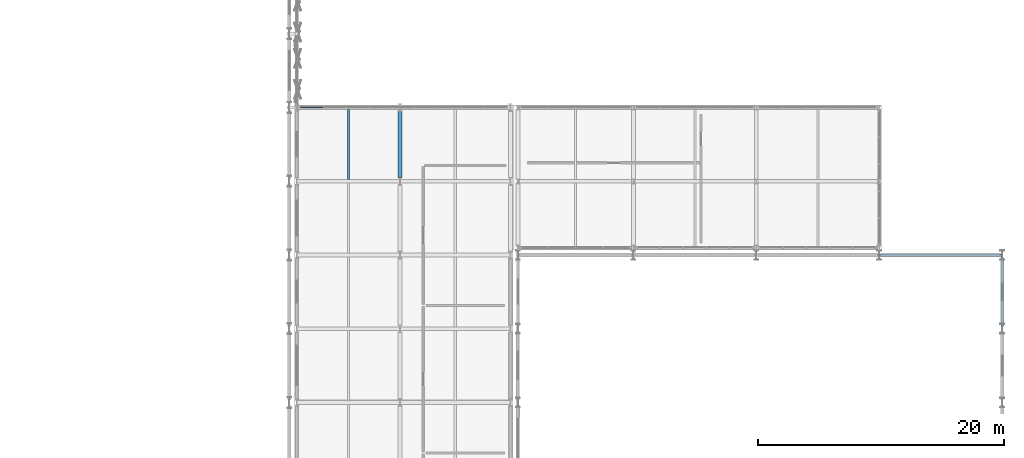
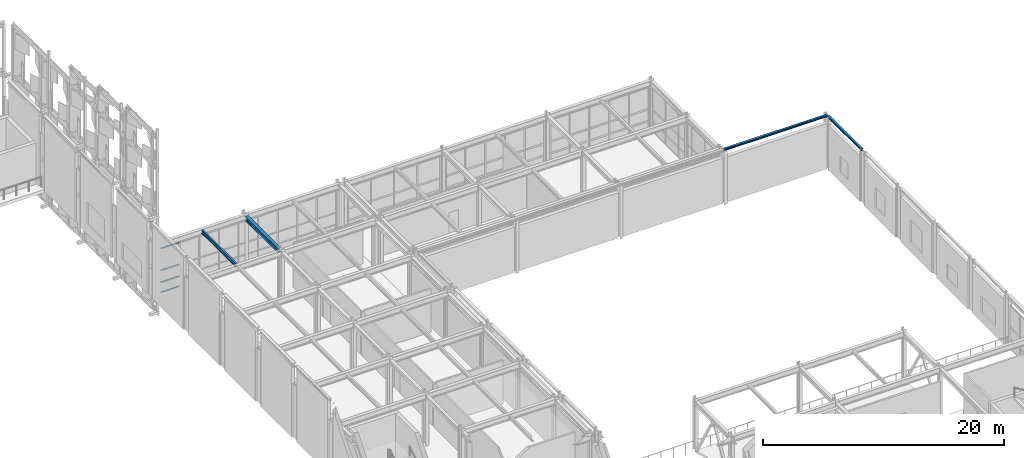
# One storey, part 124 of 210: 4 beams, 4 members, 1 element without a shape of its own.
"""IFC4 building model written with IfcOpenShell, lengths in metres."""

from ifc_helpers import new_model, si_unit, direction, frame, origin, origin_2d, place, context, subcontext, project, spatial, hollow_rectangle, i_section, extrude, material, material_profile, profile_set, type_object, element, aggregate, save


model = new_model("IFC4")

# Units and contexts
model_context = context("Model", 3, precision=1e-05, world=origin(), true_north=direction((0.0, 1.0)))
body_context = subcontext(model_context, "Body", "Model", "MODEL_VIEW")
ifc_project = project(units=[si_unit("LENGTHUNIT", "METRE"), si_unit("AREAUNIT", "SQUARE_METRE"), si_unit("VOLUMEUNIT", "CUBIC_METRE"), si_unit("PLANEANGLEUNIT", "RADIAN"), si_unit("MASSUNIT", "GRAM", prefix="KILO")], contexts=[model_context])

# Site, building, storey
site_placement = place(None, origin())
site = spatial("IfcSite", under=ifc_project, at=site_placement, CompositionType="ELEMENT")
building_placement = place(site_placement, origin())
building = spatial("IfcBuilding", under=site, at=building_placement, Name="Kaldris Quays Convention Centre", CompositionType="ELEMENT")
storey_placement = place(building_placement, frame((0.0, 0.0, 6.0)))
storey = spatial("IfcBuildingStorey", under=building, at=storey_placement, Name="L01", CompositionType="ELEMENT", Elevation=6.0)

# Curtain wall, members
ifc_material_1 = material(Name="Anodized aluminium AW-6060 and triple glazing", Category="aluminium")
curtain_wall_type = type_object("IfcCurtainWallType", Name="UNITISED CURTAIN WALL CW05", PredefinedType="NOTDEFINED", material=ifc_material_1)
curtain_wall_placement = place(storey_placement, origin())
curtain_wall = element("IfcCurtainWall", 1, at=curtain_wall_placement, inside=storey, type_object=curtain_wall_type, Name="L01 Unitised Curtain Wall CW05 140", PredefinedType="NOTDEFINED")
ifc_material_2 = material(Name="Anodized aluminium AW-6060", Category="aluminium")
ifc_material_profile_1 = material_profile(ifc_material_2, hollow_rectangle(XDim=0.06005859375, YDim=0.1201171875, WallThickness=0.00390625, at=origin_2d()), Name="RHS 120x60x4")
ifc_profile_set_1 = profile_set([ifc_material_profile_1], Name="Anodized aluminium AW-6060")
member_type = type_object("IfcMemberType", Name="CURTAIN TRANSOM CWT1", PredefinedType="USERDEFINED", material=ifc_profile_set_1)
member_1_placement = place(storey_placement, frame((146.909912109375, 116.0, 0.030029296875), z_axis=(1.0, 0.0, 0.0), x_axis=(0.0, 1.0, 0.0)))
member_1 = element("IfcMember", 2, at=member_1_placement, type_object=member_type, Name="CW05 transom 1.1", ObjectType="TRANSOM", PredefinedType="USERDEFINED", context=body_context, shape_type="SweptSolid", body=[
    extrude(hollow_rectangle(XDim=0.06005859375, YDim=0.1201171875, WallThickness=0.00390625, at=origin_2d()), origin(), (0.0, 0.0, 1.0), 1.787841796875),
])
member_2_placement = place(storey_placement, frame((146.909912109375, 116.0, 1.050048828125), z_axis=(1.0, 0.0, 0.0), x_axis=(0.0, 1.0, 0.0)))
member_2 = element("IfcMember", 3, at=member_2_placement, type_object=member_type, Name="CW05 transom 1.2", ObjectType="TRANSOM", PredefinedType="USERDEFINED", context=body_context, shape_type="SweptSolid", body=[
    extrude(hollow_rectangle(XDim=0.06005859375, YDim=0.1201171875, WallThickness=0.00390625, at=origin_2d()), origin(), (0.0, 0.0, 1.0), 1.787841796875),
])
member_3_placement = place(storey_placement, frame((146.909912109375, 116.0, 2.259033203125), z_axis=(1.0, 0.0, 0.0), x_axis=(0.0, 1.0, 0.0)))
member_3 = element("IfcMember", 4, at=member_3_placement, type_object=member_type, Name="CW05 transom 1.3", ObjectType="TRANSOM", PredefinedType="USERDEFINED", context=body_context, shape_type="SweptSolid", body=[
    extrude(hollow_rectangle(XDim=0.06005859375, YDim=0.1201171875, WallThickness=0.00390625, at=origin_2d()), origin(), (0.0, 0.0, 1.0), 1.787841796875),
])
member_4_placement = place(storey_placement, frame((146.909912109375, 116.0, 4.488037109375), z_axis=(1.0, 0.0, 0.0), x_axis=(0.0, 1.0, 0.0)))
member_4 = element("IfcMember", 5, at=member_4_placement, type_object=member_type, Name="CW05 transom 1.4", ObjectType="TRANSOM", PredefinedType="USERDEFINED", context=body_context, shape_type="SweptSolid", body=[
    extrude(hollow_rectangle(XDim=0.06005859375, YDim=0.1201171875, WallThickness=0.00390625, at=origin_2d()), origin(), (0.0, 0.0, 1.0), 1.787841796875),
])
aggregate(curtain_wall, [member_1, member_2, member_3, member_4])

# Beams
ifc_material_3 = material(Name="Steel S355J2", Category="steel")
ifc_material_profile_2 = material_profile(ifc_material_3, i_section(OverallWidth=0.300048828125, OverallDepth=0.449951171875, WebThickness=0.013916015625, FlangeThickness=0.02587890625, FilletRadius=0.027099609375, at=origin_2d()), Name="HEB 450")
ifc_profile_set_2 = profile_set([ifc_material_profile_2], Name="Steel S355J2")
beam_type_1 = type_object("IfcBeamType", Name="STRUCTURAL BEAM BM07", PredefinedType="BEAM", material=ifc_profile_set_2)
beam_1_placement = place(storey_placement, frame((155.0, 110.2939453125, 4.91796875), z_axis=(0.0, 1.0, 0.0), x_axis=(-1.0, 0.0, 0.0)))
element("IfcBeam", 6, at=beam_1_placement, inside=storey, type_object=beam_type_1, Name="L01 Girder BM07 89", PredefinedType="BEAM", context=body_context, shape_type="SweptSolid", body=[
    extrude(i_section(OverallWidth=0.300048828125, OverallDepth=0.449951171875, WebThickness=0.013916015625, FlangeThickness=0.02587890625, FilletRadius=0.027099609375, at=origin_2d()), origin(), (0.0, 0.0, 1.0), 5.412109375),
])
ifc_material_profile_3 = material_profile(ifc_material_3, i_section(OverallWidth=0.169921875, OverallDepth=0.360107421875, WebThickness=0.008056640625, FlangeThickness=0.0126953125, FilletRadius=0.01806640625, at=origin_2d()), Name="IPE 360")
ifc_profile_set_3 = profile_set([ifc_material_profile_3], Name="Steel S355J2")
beam_type_2 = type_object("IfcBeamType", Name="STRUCTURAL BEAM JT03", PredefinedType="JOIST", material=ifc_profile_set_3)
beam_2_placement = place(storey_placement, frame((150.800048828125, 110.14404296875, 4.962890625), z_axis=(0.0, 1.0, 0.0), x_axis=(-1.0, 0.0, 0.0)))
element("IfcBeam", 7, at=beam_2_placement, inside=storey, type_object=beam_type_2, Name="L01 Secondary Joist JT03 31", PredefinedType="JOIST", context=body_context, shape_type="SweptSolid", body=[
    extrude(i_section(OverallWidth=0.169921875, OverallDepth=0.360107421875, WebThickness=0.008056640625, FlangeThickness=0.0126953125, FilletRadius=0.01806640625, at=origin_2d()), origin(), (0.0, 0.0, 1.0), 5.7119140625),
])
ifc_material_profile_4 = material_profile(ifc_material_3, i_section(OverallWidth=0.199951171875, OverallDepth=0.199951171875, WebThickness=0.009033203125, FlangeThickness=0.014892578125, FilletRadius=0.01806640625, at=origin_2d()), Name="HEB 200")
ifc_profile_set_4 = profile_set([ifc_material_profile_4], Name="Steel S355J2")
beam_type_3 = type_object("IfcBeamType", Name="STRUCTURAL BEAM SP06", PredefinedType="SPANDREL", material=ifc_profile_set_4)
beam_3_placement = place(storey_placement, frame((194.006103515625, 104.0, 5.300048828125), z_axis=(1.0, 0.0, 0.0), x_axis=(0.0, 1.0, 0.0)))
element("IfcBeam", 8, at=beam_3_placement, inside=storey, type_object=beam_type_3, Name="L01 Perimeter Wall-Bearing Spandrel SP06 42", PredefinedType="SPANDREL", context=body_context, shape_type="SweptSolid", body=[
    extrude(i_section(OverallWidth=0.199951171875, OverallDepth=0.199951171875, WebThickness=0.009033203125, FlangeThickness=0.014892578125, FilletRadius=0.01806640625, at=origin_2d()), origin(), (0.0, 0.0, 1.0), 9.98779296875),
])
beam_4_placement = place(storey_placement, frame((204.0, 98.195068359375, 5.300048828125), z_axis=(0.0, 1.0, 0.0), x_axis=(-1.0, 0.0, 0.0)))
element("IfcBeam", 9, at=beam_4_placement, inside=storey, type_object=beam_type_3, Name="L01 Perimeter Wall-Bearing Spandrel SP06 54", PredefinedType="SPANDREL", context=body_context, shape_type="SweptSolid", body=[
    extrude(i_section(OverallWidth=0.199951171875, OverallDepth=0.199951171875, WebThickness=0.009033203125, FlangeThickness=0.014892578125, FilletRadius=0.01806640625, at=origin_2d()), origin(), (0.0, 0.0, 1.0), 5.60986328125),
])

save(model, "model.ifc")
